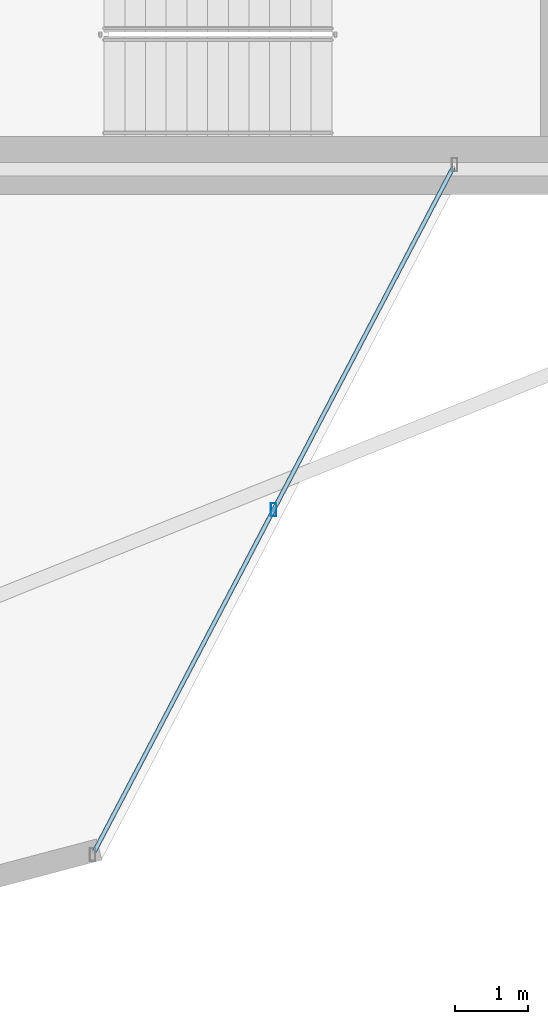
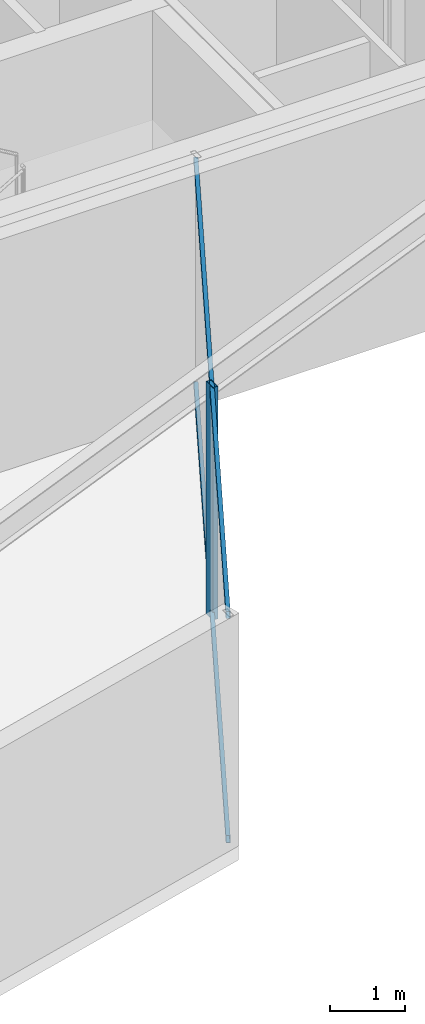
# One storey, part 12 of 25: 3 members, 1 element without a shape of its own.
"""IFC4 building model written with IfcOpenShell, lengths in metres."""

from ifc_helpers import new_model, si_unit, direction, frame, origin, origin_2d, place, context, subcontext, project, spatial, hollow_rectangle, extrude, material, layer, layer_set, material_profile, profile_set, type_object, element, aggregate, save


model = new_model("IFC4")

# Units and contexts
model_context = context("Model", 3, precision=1e-05, world=origin(), true_north=direction((0.0, 1.0)))
body_context = subcontext(model_context, "Body", "Model", "MODEL_VIEW")
ifc_project = project(units=[si_unit("LENGTHUNIT", "METRE"), si_unit("AREAUNIT", "SQUARE_METRE"), si_unit("VOLUMEUNIT", "CUBIC_METRE"), si_unit("PLANEANGLEUNIT", "RADIAN"), si_unit("MASSUNIT", "GRAM", prefix="KILO")], contexts=[model_context])

# Site, building, storey
site_placement = place(None, origin())
site = spatial("IfcSite", under=ifc_project, at=site_placement, CompositionType="ELEMENT")
building_placement = place(site_placement, origin())
building = spatial("IfcBuilding", under=site, at=building_placement, Name="Veymaron Broadcast Tower", CompositionType="ELEMENT")
storey_placement = place(building_placement, frame((0.0, 0.0, 149.25)))
storey = spatial("IfcBuildingStorey", under=building, at=storey_placement, Name="L34", CompositionType="ELEMENT", Elevation=149.25)

# Curtain wall, members
ifc_material_1 = material(Name="Anodised aluminium AA 6063-T6 and laminated low-E dark glass", Category="aluminium")
ifc_layer = layer(ifc_material_1, 0.179931640625)
ifc_layer_set = layer_set([ifc_layer], Name="Anodised aluminium AA 6063-T6 and laminated low-E dark glass")
curtain_wall_type = type_object("IfcCurtainWallType", Name="CW-SYS-03", PredefinedType="NOTDEFINED", material=ifc_layer_set)
curtain_wall_placement = place(storey_placement, origin())
curtain_wall = element("IfcCurtainWall", 1, at=curtain_wall_placement, inside=storey, type_object=curtain_wall_type, Name="L34 dark-glass curtain wall CW-L34-E20-1", PredefinedType="NOTDEFINED")
ifc_material_2 = material(Name="Anodised aluminium AA 6063-T6", Category="aluminium")
ifc_material_profile_1 = material_profile(ifc_material_2, hollow_rectangle(XDim=0.074951171875, YDim=0.179931640625, WallThickness=0.0048828125, at=origin_2d()), Name="AL180X75X5")
ifc_profile_set_1 = profile_set([ifc_material_profile_1], Name="Anodised aluminium AA 6063-T6")
member_type_1 = type_object("IfcMemberType", Name="CW-MUL-02", PredefinedType="MULLION", material=ifc_profile_set_1)
member_1_placement = place(storey_placement, frame((43.76513671875, 11.31494140625, 0.0), z_axis=(0.0, 0.0, 1.0), x_axis=(1.0, 0.0, 0.0)))
member_1 = element("IfcMember", 2, at=member_1_placement, type_object=member_type_1, Name="CW-L34-E20-1 mullion 1", PredefinedType="MULLION", context=body_context, shape_type="SweptSolid", body=[
    extrude(hollow_rectangle(XDim=0.074951171875, YDim=0.179931640625, WallThickness=0.0048828125, at=origin_2d()), origin(), (0.0, 0.0, 1.0), 3.81005859375),
])
ifc_material_profile_2 = material_profile(ifc_material_2, hollow_rectangle(XDim=0.06005859375, YDim=0.1201171875, WallThickness=0.00390625, at=origin_2d()), Name="AL120X60X4")
ifc_profile_set_2 = profile_set([ifc_material_profile_2], Name="Anodised aluminium AA 6063-T6")
member_type_2 = type_object("IfcMemberType", Name="CW-TRN-02", PredefinedType="USERDEFINED", material=ifc_profile_set_2)
member_2_placement = place(storey_placement, frame((41.297119140625, 6.609375, 0.070068359375), z_axis=(0.464469622178, 0.885589052594, 0.0), x_axis=(-0.885589052594, 0.464469622178, 0.0)))
member_2 = element("IfcMember", 3, at=member_2_placement, type_object=member_type_2, Name="CW-L34-E20-1 transom B", ObjectType="TRANSOM", PredefinedType="USERDEFINED", context=body_context, shape_type="SweptSolid", body=[
    extrude(hollow_rectangle(XDim=0.06005859375, YDim=0.1201171875, WallThickness=0.00390625, at=origin_2d()), origin(), (0.0, 0.0, 1.0), 10.627197265625),
])
member_3_placement = place(storey_placement, frame((41.297119140625, 6.609375, 3.739990234375), z_axis=(0.464469622178, 0.885589052594, 0.0), x_axis=(-0.885589052594, 0.464469622178, 0.0)))
member_3 = element("IfcMember", 4, at=member_3_placement, type_object=member_type_2, Name="CW-L34-E20-1 transom T", ObjectType="TRANSOM", PredefinedType="USERDEFINED", context=body_context, shape_type="SweptSolid", body=[
    extrude(hollow_rectangle(XDim=0.06005859375, YDim=0.1201171875, WallThickness=0.00390625, at=origin_2d()), origin(), (0.0, 0.0, 1.0), 10.627197265625),
])
aggregate(curtain_wall, [member_1, member_2, member_3])

save(model, "model.ifc")
